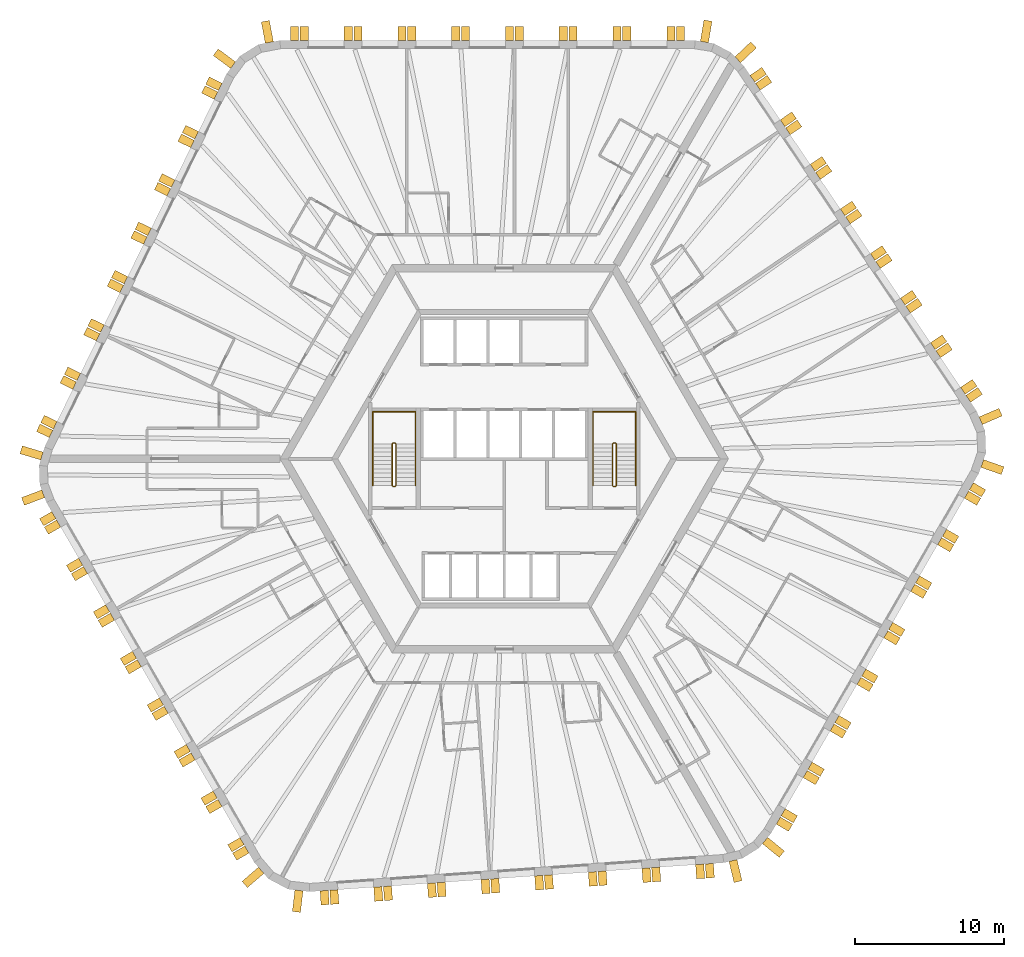
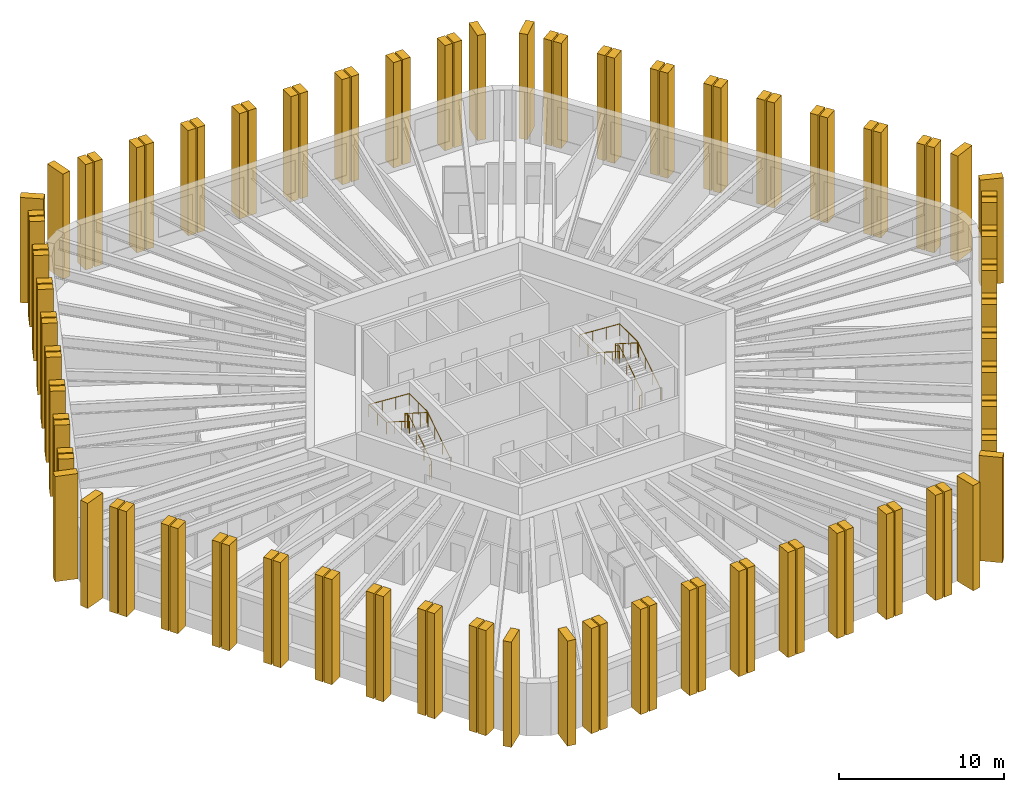
# One storey, part 11 of 11: 108 shading devices, 4 railings.
"""IFC4 building model written with IfcOpenShell, lengths in metres."""

from ifc_helpers import new_model, si_unit, direction, frame, origin, origin_2d, place, context, subcontext, project, spatial, polyline, circle, outline, extrude, material, layer, layer_set, type_object, element, save


model = new_model("IFC4")

# Units and contexts
model_context = context("Model", 3, precision=1e-05, world=origin(), true_north=direction((0.0, 1.0)))
body_context = subcontext(model_context, "Body", "Model", "MODEL_VIEW")
ifc_project = project(units=[si_unit("LENGTHUNIT", "METRE"), si_unit("AREAUNIT", "SQUARE_METRE"), si_unit("VOLUMEUNIT", "CUBIC_METRE"), si_unit("PLANEANGLEUNIT", "RADIAN"), si_unit("MASSUNIT", "GRAM", prefix="KILO")], contexts=[model_context])

# Site, building, storey
site_placement = place(None, origin())
site = spatial("IfcSite", under=ifc_project, at=site_placement, CompositionType="ELEMENT")
building_placement = place(site_placement, origin())
building = spatial("IfcBuilding", under=site, at=building_placement, Name="Tarnside Tower", CompositionType="ELEMENT")
storey_placement = place(building_placement, frame((0.0, 0.0, 207.300048828125)))
storey = spatial("IfcBuildingStorey", under=building, at=storey_placement, Name="L49", CompositionType="ELEMENT", Elevation=207.300048828125)

# Shading devices
ifc_material_1 = material(Name="Concrete C50/60 white precast", Category="concrete")
ifc_layer_1 = layer(ifc_material_1, 0.550048828125)
ifc_layer_set_1 = layer_set([ifc_layer_1], Name="Precast fin 550 x 1450")
shading_device_type_1 = type_object("IfcShadingDeviceType", Name="Precast fin 550 x 1450", PredefinedType="USERDEFINED", material=ifc_layer_set_1)
for number, where, z_axis, x_axis, name in (
    (1, (-15.725341796875, 27.86767578125, -0.150146484375), (0.982720646705, 0.18509492305, 0.0), (-0.18509492305, 0.982720646705, 0.0), "Precast fin"),
    (2, (-18.15380859375, 26.35009765625, -0.150146484375), (0.597158591707, 0.802123192752, 0.0), (-0.802123192752, 0.597158591707, 0.0), "Precast fin"),
    (3, (-30.949951171875, 0.184326171875, -0.150146484375), (0.286803232717, 0.957989512314, 0.0), (-0.957989512314, 0.286803232717, 0.0), "Precast fin"),
    (4, (-30.861572265625, -2.343017578125, -0.150146484375), (-0.352930564719, 0.935649515837, 0.0), (-0.935649515837, -0.352930564719, 0.0), "Precast fin"),
    (5, (-16.271484375, -27.55224609375, -0.150146484375), (-0.651657228826, 0.758513583345, 0.0), (-0.758513583345, -0.651657228826, 0.0), "Precast fin"),
    (6, (-13.7431640625, -28.896728515625, -0.150146484375), (-0.993238357741, 0.116092914131, 0.0), (-0.116092914131, -0.993238357741, 0.0), "Precast fin"),
    (7, (15.315185546875, -26.8955078125, -0.150146484375), (-0.973044870581, -0.230615870737, 0.0), (0.230615870737, -0.973044870581, 0.0), "Precast fin"),
    (8, (17.4599609375, -25.555419921875, -0.150146484375), (-0.633830967394, -0.773471592738, 0.0), (0.773471592738, -0.633830967394, 0.0), "Precast fin"),
    (9, (31.996826171875, -0.315185546875, -0.150146484375), (-0.331063417879, -0.943608506396, 0.0), (0.943608506396, -0.331063417879, 0.0), "Precast fin"),
    (10, (31.896728515625, 2.54638671875, -0.150146484375), (0.396079766034, -0.918216106883, 0.0), (0.918216106883, 0.396079766034, 0.0), "Precast fin"),
    (11, (15.634765625, 26.711181640625, -0.150146484375), (0.686241637865, -0.727373641577, 0.0), (0.727373641577, 0.686241637865, 0.0), "Precast fin"),
    (12, (13.40185546875, 27.8984375, -0.150146484375), (0.986761532114, -0.1621779231, 0.0), (0.1621779231, 0.986761532114, 0.0), "Precast fin"),
):
    element("IfcShadingDevice", number, at=place(storey_placement, frame(where, z_axis=z_axis, x_axis=x_axis)), inside=storey, type_object=shading_device_type_1, Name=name, ObjectType="FIN", PredefinedType="USERDEFINED", context=body_context, shape_type="SweptSolid", body=[
        extrude(outline(polyline([(0.0, 0.0), (1.449951171875, 0.0), (1.449951171875, 7.800048828125), (0.0, 7.800048828125), (0.0, 0.0)])), frame((0.0, 0.0, -0.27490234375)), (0.0, 0.0, 1.0), 0.550048828125),
    ])
ifc_layer_2 = layer(ifc_material_1, 0.550048828125)
ifc_layer_set_2 = layer_set([ifc_layer_2], Name="Precast fin 550 x 950")
shading_device_type_2 = type_object("IfcShadingDeviceType", Name="Precast fin 550 x 950", PredefinedType="USERDEFINED", material=ifc_layer_set_2)
for number, where, z_axis, x_axis, name in (
    (13, (11.80712890625, 28.0, -0.150146484375), (1.0, 0.0, 0.0), (0.0, 1.0, 0.0), "Precast fin"),
    (14, (11.1572265625, 28.0, -0.150146484375), (1.0, 0.0, 0.0), (0.0, 1.0, 0.0), "Precast fin"),
    (15, (8.20703125, 28.0, -0.150146484375), (1.0, 0.0, 0.0), (0.0, 1.0, 0.0), "Precast fin"),
    (16, (7.55712890625, 28.0, -0.150146484375), (1.0, 0.0, 0.0), (0.0, 1.0, 0.0), "Precast fin"),
    (17, (4.607177734375, 28.0, -0.150146484375), (1.0, 0.0, 0.0), (0.0, 1.0, 0.0), "Precast fin"),
    (18, (3.95703125, 28.0, -0.150146484375), (1.0, 0.0, 0.0), (0.0, 1.0, 0.0), "Precast fin"),
    (19, (1.007080078125, 28.0, -0.150146484375), (1.0, 0.0, 0.0), (0.0, 1.0, 0.0), "Precast fin"),
    (20, (0.357177734375, 28.0, -0.150146484375), (1.0, 0.0, 0.0), (0.0, 1.0, 0.0), "Precast fin"),
    (21, (-2.5927734375, 28.0, -0.150146484375), (1.0, 0.0, 0.0), (0.0, 1.0, 0.0), "Precast fin"),
    (22, (-3.242919921875, 28.0, -0.150146484375), (1.0, 0.0, 0.0), (0.0, 1.0, 0.0), "Precast fin"),
    (23, (-6.19287109375, 28.0, -0.150146484375), (1.0, 0.0, 0.0), (0.0, 1.0, 0.0), "Precast fin"),
    (24, (-6.8427734375, 28.0, -0.150146484375), (1.0, 0.0, 0.0), (0.0, 1.0, 0.0), "Precast fin"),
    (25, (-9.79296875, 28.0, -0.150146484375), (1.0, 0.0, 0.0), (0.0, 1.0, 0.0), "Precast fin"),
    (26, (-10.44287109375, 28.0, -0.150146484375), (1.0, 0.0, 0.0), (0.0, 1.0, 0.0), "Precast fin"),
    (27, (-13.392822265625, 28.0, -0.150146484375), (1.0, 0.0, 0.0), (0.0, 1.0, 0.0), "Precast fin"),
    (28, (-14.04296875, 28.0, -0.150146484375), (1.0, 0.0, 0.0), (0.0, 1.0, 0.0), "Precast fin"),
    (29, (-19.01025390625, 24.896240234375, -0.150146484375), (0.438371146789, 0.898794046299, 0.0), (-0.898794046299, 0.438371146789, 0.0), "Precast fin"),
    (30, (-19.295166015625, 24.31201171875, -0.150146484375), (0.438371146789, 0.898794046299, 0.0), (-0.898794046299, 0.438371146789, 0.0), "Precast fin"),
    (31, (-20.58837890625, 21.660400390625, -0.150146484375), (0.438371146789, 0.898794046299, 0.0), (-0.898794046299, 0.438371146789, 0.0), "Precast fin"),
    (32, (-20.873291015625, 21.076171875, -0.150146484375), (0.438371146789, 0.898794046299, 0.0), (-0.898794046299, 0.438371146789, 0.0), "Precast fin"),
    (33, (-22.16650390625, 18.4248046875, -0.150146484375), (0.438371146789, 0.898794046299, 0.0), (-0.898794046299, 0.438371146789, 0.0), "Precast fin"),
    (34, (-22.451416015625, 17.840576171875, -0.150146484375), (0.438371146789, 0.898794046299, 0.0), (-0.898794046299, 0.438371146789, 0.0), "Precast fin"),
    (35, (-23.74462890625, 15.189208984375, -0.150146484375), (0.438371146789, 0.898794046299, 0.0), (-0.898794046299, 0.438371146789, 0.0), "Precast fin"),
    (36, (-24.029541015625, 14.60498046875, -0.150146484375), (0.438371146789, 0.898794046299, 0.0), (-0.898794046299, 0.438371146789, 0.0), "Precast fin"),
    (37, (-25.32275390625, 11.953369140625, -0.150146484375), (0.438371146789, 0.898794046299, 0.0), (-0.898794046299, 0.438371146789, 0.0), "Precast fin"),
    (38, (-25.607666015625, 11.369384765625, -0.150146484375), (0.438371146789, 0.898794046299, 0.0), (-0.898794046299, 0.438371146789, 0.0), "Precast fin"),
    (39, (-26.90087890625, 8.7177734375, -0.150146484375), (0.438371146789, 0.898794046299, 0.0), (-0.898794046299, 0.438371146789, 0.0), "Precast fin"),
    (40, (-27.185791015625, 8.133544921875, -0.150146484375), (0.438371146789, 0.898794046299, 0.0), (-0.898794046299, 0.438371146789, 0.0), "Precast fin"),
    (41, (-28.47900390625, 5.482177734375, -0.150146484375), (0.438371146789, 0.898794046299, 0.0), (-0.898794046299, 0.438371146789, 0.0), "Precast fin"),
    (42, (-28.763916015625, 4.89794921875, -0.150146484375), (0.438371146789, 0.898794046299, 0.0), (-0.898794046299, 0.438371146789, 0.0), "Precast fin"),
    (43, (-30.05712890625, 2.24658203125, -0.150146484375), (0.438371146789, 0.898794046299, 0.0), (-0.898794046299, 0.438371146789, 0.0), "Precast fin"),
    (44, (-30.342041015625, 1.662353515625, -0.150146484375), (0.438371146789, 0.898794046299, 0.0), (-0.898794046299, 0.438371146789, 0.0), "Precast fin"),
    (45, (-30.15234375, -3.774658203125, -0.150146484375), (-0.5, 0.866025403784, 0.0), (-0.866025403784, -0.5, 0.0), "Precast fin"),
    (46, (-29.827392578125, -4.337646484375, -0.150146484375), (-0.5, 0.866025403784, 0.0), (-0.866025403784, -0.5, 0.0), "Precast fin"),
    (47, (-28.352294921875, -6.892333984375, -0.150146484375), (-0.5, 0.866025403784, 0.0), (-0.866025403784, -0.5, 0.0), "Precast fin"),
    (48, (-28.02734375, -7.455322265625, -0.150146484375), (-0.5, 0.866025403784, 0.0), (-0.866025403784, -0.5, 0.0), "Precast fin"),
    (49, (-26.55224609375, -10.010009765625, -0.150146484375), (-0.5, 0.866025403784, 0.0), (-0.866025403784, -0.5, 0.0), "Precast fin"),
    (50, (-26.227294921875, -10.572998046875, -0.150146484375), (-0.5, 0.866025403784, 0.0), (-0.866025403784, -0.5, 0.0), "Precast fin"),
    (51, (-24.752197265625, -13.127685546875, -0.150146484375), (-0.5, 0.866025403784, 0.0), (-0.866025403784, -0.5, 0.0), "Precast fin"),
    (52, (-24.42724609375, -13.690673828125, -0.150146484375), (-0.5, 0.866025403784, 0.0), (-0.866025403784, -0.5, 0.0), "Precast fin"),
    (53, (-22.952392578125, -16.24560546875, -0.150146484375), (-0.5, 0.866025403784, 0.0), (-0.866025403784, -0.5, 0.0), "Precast fin"),
    (54, (-22.627197265625, -16.808349609375, -0.150146484375), (-0.5, 0.866025403784, 0.0), (-0.866025403784, -0.5, 0.0), "Precast fin"),
    (55, (-21.15234375, -19.36328125, -0.150146484375), (-0.5, 0.866025403784, 0.0), (-0.866025403784, -0.5, 0.0), "Precast fin"),
    (56, (-20.827392578125, -19.926025390625, -0.150146484375), (-0.5, 0.866025403784, 0.0), (-0.866025403784, -0.5, 0.0), "Precast fin"),
    (57, (-19.352294921875, -22.48095703125, -0.150146484375), (-0.5, 0.866025403784, 0.0), (-0.866025403784, -0.5, 0.0), "Precast fin"),
    (58, (-19.02734375, -23.043701171875, -0.150146484375), (-0.5, 0.866025403784, 0.0), (-0.866025403784, -0.5, 0.0), "Precast fin"),
    (59, (-17.55224609375, -25.5986328125, -0.150146484375), (-0.5, 0.866025403784, 0.0), (-0.866025403784, -0.5, 0.0), "Precast fin"),
    (60, (-17.227294921875, -26.161376953125, -0.150146484375), (-0.5, 0.866025403784, 0.0), (-0.866025403784, -0.5, 0.0), "Precast fin"),
    (61, (-12.0556640625, -28.911376953125, -0.150146484375), (-0.99756405026, -0.069756473744, 0.0), (0.069756473744, -0.99756405026, 0.0), "Precast fin"),
    (62, (-11.4072265625, -28.865966796875, -0.150146484375), (-0.99756405026, -0.069756473744, 0.0), (0.069756473744, -0.99756405026, 0.0), "Precast fin"),
    (63, (-8.46435546875, -28.66015625, -0.150146484375), (-0.99756405026, -0.069756473744, 0.0), (0.069756473744, -0.99756405026, 0.0), "Precast fin"),
    (64, (-7.81591796875, -28.614990234375, -0.150146484375), (-0.99756405026, -0.069756473744, 0.0), (0.069756473744, -0.99756405026, 0.0), "Precast fin"),
    (65, (-4.873046875, -28.4091796875, -0.150146484375), (-0.99756405026, -0.069756473744, 0.0), (0.069756473744, -0.99756405026, 0.0), "Precast fin"),
    (66, (-4.224609375, -28.36376953125, -0.150146484375), (-0.99756405026, -0.069756473744, 0.0), (0.069756473744, -0.99756405026, 0.0), "Precast fin"),
    (67, (-1.281982421875, -28.157958984375, -0.150146484375), (-0.99756405026, -0.069756473744, 0.0), (0.069756473744, -0.99756405026, 0.0), "Precast fin"),
    (68, (-0.633544921875, -28.112548828125, -0.150146484375), (-0.99756405026, -0.069756473744, 0.0), (0.069756473744, -0.99756405026, 0.0), "Precast fin"),
    (69, (2.309326171875, -27.906982421875, -0.150146484375), (-0.99756405026, -0.069756473744, 0.0), (0.069756473744, -0.99756405026, 0.0), "Precast fin"),
    (70, (2.957763671875, -27.861572265625, -0.150146484375), (-0.99756405026, -0.069756473744, 0.0), (0.069756473744, -0.99756405026, 0.0), "Precast fin"),
    (71, (5.900634765625, -27.65576171875, -0.150146484375), (-0.99756405026, -0.069756473744, 0.0), (0.069756473744, -0.99756405026, 0.0), "Precast fin"),
    (72, (6.549072265625, -27.6103515625, -0.150146484375), (-0.99756405026, -0.069756473744, 0.0), (0.069756473744, -0.99756405026, 0.0), "Precast fin"),
    (73, (9.49169921875, -27.404541015625, -0.150146484375), (-0.99756405026, -0.069756473744, 0.0), (0.069756473744, -0.99756405026, 0.0), "Precast fin"),
    (74, (10.14013671875, -27.359375, -0.150146484375), (-0.99756405026, -0.069756473744, 0.0), (0.069756473744, -0.99756405026, 0.0), "Precast fin"),
    (75, (13.0830078125, -27.153564453125, -0.150146484375), (-0.99756405026, -0.069756473744, 0.0), (0.069756473744, -0.99756405026, 0.0), "Precast fin"),
    (76, (13.7314453125, -27.108154296875, -0.150146484375), (-0.99756405026, -0.069756473744, 0.0), (0.069756473744, -0.99756405026, 0.0), "Precast fin"),
    (77, (18.34521484375, -24.225341796875, -0.150146484375), (-0.5, -0.866025403784, 0.0), (0.866025403784, -0.5, 0.0), "Precast fin"),
    (78, (18.670166015625, -23.662353515625, -0.150146484375), (-0.5, -0.866025403784, 0.0), (0.866025403784, -0.5, 0.0), "Precast fin"),
    (79, (20.145263671875, -21.107666015625, -0.150146484375), (-0.5, -0.866025403784, 0.0), (0.866025403784, -0.5, 0.0), "Precast fin"),
    (80, (20.47021484375, -20.544677734375, -0.150146484375), (-0.5, -0.866025403784, 0.0), (0.866025403784, -0.5, 0.0), "Precast fin"),
    (81, (21.945068359375, -17.989990234375, -0.150146484375), (-0.5, -0.866025403784, 0.0), (0.866025403784, -0.5, 0.0), "Precast fin"),
    (82, (22.270263671875, -17.427001953125, -0.150146484375), (-0.5, -0.866025403784, 0.0), (0.866025403784, -0.5, 0.0), "Precast fin"),
    (83, (23.7451171875, -14.872314453125, -0.150146484375), (-0.5, -0.866025403784, 0.0), (0.866025403784, -0.5, 0.0), "Precast fin"),
    (84, (24.070068359375, -14.309326171875, -0.150146484375), (-0.5, -0.866025403784, 0.0), (0.866025403784, -0.5, 0.0), "Precast fin"),
    (85, (25.545166015625, -11.75439453125, -0.150146484375), (-0.5, -0.866025403784, 0.0), (0.866025403784, -0.5, 0.0), "Precast fin"),
    (86, (25.8701171875, -11.191650390625, -0.150146484375), (-0.5, -0.866025403784, 0.0), (0.866025403784, -0.5, 0.0), "Precast fin"),
    (87, (27.34521484375, -8.63671875, -0.150146484375), (-0.5, -0.866025403784, 0.0), (0.866025403784, -0.5, 0.0), "Precast fin"),
    (88, (27.670166015625, -8.073974609375, -0.150146484375), (-0.5, -0.866025403784, 0.0), (0.866025403784, -0.5, 0.0), "Precast fin"),
    (89, (29.145263671875, -5.51904296875, -0.150146484375), (-0.5, -0.866025403784, 0.0), (0.866025403784, -0.5, 0.0), "Precast fin"),
    (90, (29.47021484375, -4.956298828125, -0.150146484375), (-0.5, -0.866025403784, 0.0), (0.866025403784, -0.5, 0.0), "Precast fin"),
    (91, (30.945068359375, -2.4013671875, -0.150146484375), (-0.5, -0.866025403784, 0.0), (0.866025403784, -0.5, 0.0), "Precast fin"),
    (92, (31.270263671875, -1.838623046875, -0.150146484375), (-0.5, -0.866025403784, 0.0), (0.866025403784, -0.5, 0.0), "Precast fin"),
    (93, (31.065673828125, 4.01513671875, -0.150146484375), (0.559192903471, -0.829037572555, 0.0), (0.829037572555, 0.559192903471, 0.0), "Precast fin"),
    (94, (30.702392578125, 4.55419921875, -0.150146484375), (0.559192903471, -0.829037572555, 0.0), (0.829037572555, 0.559192903471, 0.0), "Precast fin"),
    (95, (29.052734375, 6.999755859375, -0.150146484375), (0.559192903471, -0.829037572555, 0.0), (0.829037572555, 0.559192903471, 0.0), "Precast fin"),
    (96, (28.689208984375, 7.53857421875, -0.150146484375), (0.559192903471, -0.829037572555, 0.0), (0.829037572555, 0.559192903471, 0.0), "Precast fin"),
    (97, (27.03955078125, 9.984375, -0.150146484375), (0.559192903471, -0.829037572555, 0.0), (0.829037572555, 0.559192903471, 0.0), "Precast fin"),
    (98, (26.676025390625, 10.523193359375, -0.150146484375), (0.559192903471, -0.829037572555, 0.0), (0.829037572555, 0.559192903471, 0.0), "Precast fin"),
    (99, (25.026611328125, 12.96875, -0.150146484375), (0.559192903471, -0.829037572555, 0.0), (0.829037572555, 0.559192903471, 0.0), "Precast fin"),
    (100, (24.6630859375, 13.5078125, -0.150146484375), (0.559192903471, -0.829037572555, 0.0), (0.829037572555, 0.559192903471, 0.0), "Precast fin"),
    (101, (23.013427734375, 15.953369140625, -0.150146484375), (0.559192903471, -0.829037572555, 0.0), (0.829037572555, 0.559192903471, 0.0), "Precast fin"),
    (102, (22.64990234375, 16.4921875, -0.150146484375), (0.559192903471, -0.829037572555, 0.0), (0.829037572555, 0.559192903471, 0.0), "Precast fin"),
    (103, (21.000244140625, 18.93798828125, -0.150146484375), (0.559192903471, -0.829037572555, 0.0), (0.829037572555, 0.559192903471, 0.0), "Precast fin"),
    (104, (20.63671875, 19.476806640625, -0.150146484375), (0.559192903471, -0.829037572555, 0.0), (0.829037572555, 0.559192903471, 0.0), "Precast fin"),
    (105, (18.9873046875, 21.92236328125, -0.150146484375), (0.559192903471, -0.829037572555, 0.0), (0.829037572555, 0.559192903471, 0.0), "Precast fin"),
    (106, (18.623779296875, 22.46142578125, -0.150146484375), (0.559192903471, -0.829037572555, 0.0), (0.829037572555, 0.559192903471, 0.0), "Precast fin"),
    (107, (16.97412109375, 24.906982421875, -0.150146484375), (0.559192903471, -0.829037572555, 0.0), (0.829037572555, 0.559192903471, 0.0), "Precast fin"),
    (108, (16.610595703125, 25.44580078125, -0.150146484375), (0.559192903471, -0.829037572555, 0.0), (0.829037572555, 0.559192903471, 0.0), "Precast fin"),
):
    element("IfcShadingDevice", number, at=place(storey_placement, frame(where, z_axis=z_axis, x_axis=x_axis)), inside=storey, type_object=shading_device_type_2, Name=name, ObjectType="FIN", PredefinedType="USERDEFINED", context=body_context, shape_type="SweptSolid", body=[
        extrude(outline(polyline([(0.0, 0.0), (0.949951171875, 0.0), (0.949951171875, 7.800048828125), (0.0, 7.800048828125), (0.0, 0.0)])), frame((0.0, 0.0, -0.27490234375)), (0.0, 0.0, 1.0), 0.550048828125),
    ])

# Railings
ifc_material_2 = material(Name="Stainless steel", Category="steel")
railing_type_1 = type_object("IfcRailingType", Name="Stair guard 1100", PredefinedType="GUARDRAIL", material=ifc_material_2)
railing_1_placement = place(storey_placement, frame((7.300048828125, -1.85009765625, 0.0)))
element("IfcRailing", 109, at=railing_1_placement, inside=storey, type_object=railing_type_1, Name="L49 ST1 stair guard 1", PredefinedType="GUARDRAIL", context=body_context, shape_type="SweptSolid", body=[
    extrude(circle(Radius=0.02392578125, at=origin_2d()), frame((0.0, 0.0, 1.076171875), z_axis=(1.0, 0.0, 0.0), x_axis=(0.0, 1.0, 0.0)), (0.0, 0.0, 1.0), 0.14990234375),
    extrude(circle(Radius=0.02392578125, at=origin_2d()), frame((0.14990234375, 0.0, 1.076171875), z_axis=(0.262233686654, 0.262233686654, 0.928691007369), x_axis=(-0.707106781187, 0.707106781187, 0.0)), (0.0, 0.0, 1.0), 0.19091796875),
    extrude(circle(Radius=0.02392578125, at=origin_2d()), frame((0.199951171875, 0.050048828125, 1.25341796875), z_axis=(0.0, 0.844908973607, 0.534910110503), x_axis=(-1.0, 0.0, 0.0)), (0.0, 0.0, 1.0), 3.31396484375),
    extrude(circle(Radius=0.02392578125, at=origin_2d()), frame((0.199951171875, 2.85009765625, 3.02587890625), z_axis=(-0.707106781187, 0.707106781187, 0.0), x_axis=(-0.707106781187, -0.707106781187, 0.0)), (0.0, 0.0, 1.0), 0.07080078125),
    extrude(circle(Radius=0.02392578125, at=origin_2d()), frame((0.14990234375, 2.900146484375, 3.02587890625), z_axis=(-1.0, 0.0, 0.0), x_axis=(0.0, -1.0, 0.0)), (0.0, 0.0, 1.0), 0.14990234375),
    extrude(circle(Radius=0.02392578125, at=origin_2d()), frame((0.0, 2.900146484375, 3.02587890625), z_axis=(-0.262233686654, -0.262233686654, 0.928691007369), x_axis=(0.707106781187, -0.707106781187, 0.0)), (0.0, 0.0, 1.0), 0.19091796875),
    extrude(circle(Radius=0.02392578125, at=origin_2d()), frame((-0.050048828125, 2.85009765625, 3.203125), z_axis=(0.0, -0.844908973607, 0.534910110503), x_axis=(1.0, 0.0, 0.0)), (0.0, 0.0, 1.0), 3.31396484375),
    extrude(circle(Radius=0.02099609375, at=origin_2d()), origin(), (0.0, 0.0, 1.0), 1.052001953125),
    extrude(circle(Radius=0.02099609375, at=origin_2d()), frame((0.14990234375, 0.0, 0.0)), (0.0, 0.0, 1.0), 1.052001953125),
    extrude(circle(Radius=0.02099609375, at=origin_2d()), frame((0.199951171875, 0.050048828125, 0.17724609375)), (0.0, 0.0, 1.0), 1.052001953125),
    extrude(circle(Radius=0.02099609375, at=origin_2d()), frame((0.199951171875, 0.9833984375, 0.76806640625)), (0.0, 0.0, 1.0), 1.052001953125),
    extrude(circle(Radius=0.02099609375, at=origin_2d()), frame((0.199951171875, 1.916748046875, 1.359130859375)), (0.0, 0.0, 1.0), 1.052001953125),
    extrude(circle(Radius=0.02099609375, at=origin_2d()), frame((0.199951171875, 2.85009765625, 1.949951171875)), (0.0, 0.0, 1.0), 1.052001953125),
    extrude(circle(Radius=0.02099609375, at=origin_2d()), frame((0.14990234375, 2.900146484375, 1.949951171875)), (0.0, 0.0, 1.0), 1.052001953125),
    extrude(circle(Radius=0.02099609375, at=origin_2d()), frame((0.0, 2.900146484375, 1.949951171875)), (0.0, 0.0, 1.0), 1.052001953125),
    extrude(circle(Radius=0.02099609375, at=origin_2d()), frame((-0.050048828125, 2.85009765625, 2.127197265625)), (0.0, 0.0, 1.0), 1.052001953125),
    extrude(circle(Radius=0.02099609375, at=origin_2d()), frame((-0.050048828125, 1.916748046875, 2.718017578125)), (0.0, 0.0, 1.0), 1.052001953125),
    extrude(circle(Radius=0.02099609375, at=origin_2d()), frame((-0.050048828125, 0.9833984375, 3.30908203125)), (0.0, 0.0, 1.0), 1.052001953125),
    extrude(circle(Radius=0.02099609375, at=origin_2d()), frame((-0.050048828125, 0.050048828125, 3.89990234375)), (0.0, 0.0, 1.0), 1.052001953125),
])
railing_2_placement = place(storey_placement, frame((-7.449951171875, -1.85009765625, 0.0)))
element("IfcRailing", 110, at=railing_2_placement, inside=storey, type_object=railing_type_1, Name="L49 ST2 stair guard 1", PredefinedType="GUARDRAIL", context=body_context, shape_type="SweptSolid", body=[
    extrude(circle(Radius=0.02392578125, at=origin_2d()), frame((0.0, 0.0, 1.076171875), z_axis=(1.0, 0.0, 0.0), x_axis=(0.0, 1.0, 0.0)), (0.0, 0.0, 1.0), 0.14990234375),
    extrude(circle(Radius=0.02392578125, at=origin_2d()), frame((0.14990234375, 0.0, 1.076171875), z_axis=(0.262233686654, 0.262233686654, 0.928691007369), x_axis=(-0.707106781187, 0.707106781187, 0.0)), (0.0, 0.0, 1.0), 0.19091796875),
    extrude(circle(Radius=0.02392578125, at=origin_2d()), frame((0.199951171875, 0.050048828125, 1.25341796875), z_axis=(0.0, 0.844908973607, 0.534910110503), x_axis=(-1.0, 0.0, 0.0)), (0.0, 0.0, 1.0), 3.31396484375),
    extrude(circle(Radius=0.02392578125, at=origin_2d()), frame((0.199951171875, 2.85009765625, 3.02587890625), z_axis=(-0.707106781187, 0.707106781187, 0.0), x_axis=(-0.707106781187, -0.707106781187, 0.0)), (0.0, 0.0, 1.0), 0.07080078125),
    extrude(circle(Radius=0.02392578125, at=origin_2d()), frame((0.14990234375, 2.900146484375, 3.02587890625), z_axis=(-1.0, 0.0, 0.0), x_axis=(0.0, -1.0, 0.0)), (0.0, 0.0, 1.0), 0.14990234375),
    extrude(circle(Radius=0.02392578125, at=origin_2d()), frame((0.0, 2.900146484375, 3.02587890625), z_axis=(-0.262233686654, -0.262233686654, 0.928691007369), x_axis=(0.707106781187, -0.707106781187, 0.0)), (0.0, 0.0, 1.0), 0.19091796875),
    extrude(circle(Radius=0.02392578125, at=origin_2d()), frame((-0.050048828125, 2.85009765625, 3.203125), z_axis=(0.0, -0.844908973607, 0.534910110503), x_axis=(1.0, 0.0, 0.0)), (0.0, 0.0, 1.0), 3.31396484375),
    extrude(circle(Radius=0.02099609375, at=origin_2d()), origin(), (0.0, 0.0, 1.0), 1.052001953125),
    extrude(circle(Radius=0.02099609375, at=origin_2d()), frame((0.14990234375, 0.0, 0.0)), (0.0, 0.0, 1.0), 1.052001953125),
    extrude(circle(Radius=0.02099609375, at=origin_2d()), frame((0.199951171875, 0.050048828125, 0.17724609375)), (0.0, 0.0, 1.0), 1.052001953125),
    extrude(circle(Radius=0.02099609375, at=origin_2d()), frame((0.199951171875, 0.9833984375, 0.76806640625)), (0.0, 0.0, 1.0), 1.052001953125),
    extrude(circle(Radius=0.02099609375, at=origin_2d()), frame((0.199951171875, 1.916748046875, 1.359130859375)), (0.0, 0.0, 1.0), 1.052001953125),
    extrude(circle(Radius=0.02099609375, at=origin_2d()), frame((0.199951171875, 2.85009765625, 1.949951171875)), (0.0, 0.0, 1.0), 1.052001953125),
    extrude(circle(Radius=0.02099609375, at=origin_2d()), frame((0.14990234375, 2.900146484375, 1.949951171875)), (0.0, 0.0, 1.0), 1.052001953125),
    extrude(circle(Radius=0.02099609375, at=origin_2d()), frame((0.0, 2.900146484375, 1.949951171875)), (0.0, 0.0, 1.0), 1.052001953125),
    extrude(circle(Radius=0.02099609375, at=origin_2d()), frame((-0.050048828125, 2.85009765625, 2.127197265625)), (0.0, 0.0, 1.0), 1.052001953125),
    extrude(circle(Radius=0.02099609375, at=origin_2d()), frame((-0.050048828125, 1.916748046875, 2.718017578125)), (0.0, 0.0, 1.0), 1.052001953125),
    extrude(circle(Radius=0.02099609375, at=origin_2d()), frame((-0.050048828125, 0.9833984375, 3.30908203125)), (0.0, 0.0, 1.0), 1.052001953125),
    extrude(circle(Radius=0.02099609375, at=origin_2d()), frame((-0.050048828125, 0.050048828125, 3.89990234375)), (0.0, 0.0, 1.0), 1.052001953125),
])
railing_type_2 = type_object("IfcRailingType", Name="Stair handrail 900", PredefinedType="HANDRAIL", material=ifc_material_2)
railing_3_placement = place(storey_placement, frame((8.800048828125, -1.800048828125, 0.17724609375)))
element("IfcRailing", 111, at=railing_3_placement, inside=storey, type_object=railing_type_2, Name="L49 ST1 stair handrail 1", PredefinedType="HANDRAIL", context=body_context, shape_type="SweptSolid", body=[
    extrude(circle(Radius=0.02392578125, at=origin_2d()), frame((0.0, 0.0, 0.8857421875), z_axis=(0.0, 0.844908973607, 0.534910110503), x_axis=(-1.0, 0.0, 0.0)), (0.0, 0.0, 1.0), 3.31396484375),
    extrude(circle(Radius=0.02392578125, at=origin_2d()), frame((0.0, 2.800048828125, 2.65869140625), z_axis=(0.0, 1.0, 0.0), x_axis=(-1.0, 0.0, 0.0)), (0.0, 0.0, 1.0), 2.14990234375),
    extrude(circle(Radius=0.02392578125, at=origin_2d()), frame((0.0, 4.949951171875, 2.65869140625), z_axis=(-0.998071825391, 0.0, 0.06206956872), x_axis=(0.0, -1.0, 0.0)), (0.0, 0.0, 1.0), 2.855712890625),
    extrude(circle(Radius=0.02392578125, at=origin_2d()), frame((-2.85009765625, 4.949951171875, 2.8359375), z_axis=(0.0, -1.0, 0.0), x_axis=(1.0, 0.0, 0.0)), (0.0, 0.0, 1.0), 2.14990234375),
    extrude(circle(Radius=0.02392578125, at=origin_2d()), frame((-2.85009765625, 2.800048828125, 2.8359375), z_axis=(0.0, -0.844908973607, 0.534910110503), x_axis=(1.0, 0.0, 0.0)), (0.0, 0.0, 1.0), 3.31396484375),
    extrude(circle(Radius=0.02099609375, at=origin_2d()), origin(), (0.0, 0.0, 1.0), 0.86181640625),
    extrude(circle(Radius=0.02099609375, at=origin_2d()), frame((0.0, 0.933349609375, 0.5908203125)), (0.0, 0.0, 1.0), 0.86181640625),
    extrude(circle(Radius=0.02099609375, at=origin_2d()), frame((0.0, 1.86669921875, 1.181884765625)), (0.0, 0.0, 1.0), 0.86181640625),
    extrude(circle(Radius=0.02099609375, at=origin_2d()), frame((0.0, 2.800048828125, 1.772705078125)), (0.0, 0.0, 1.0), 0.86181640625),
    extrude(circle(Radius=0.02099609375, at=origin_2d()), frame((0.0, 3.875, 1.772705078125)), (0.0, 0.0, 1.0), 0.86181640625),
    extrude(circle(Radius=0.02099609375, at=origin_2d()), frame((0.0, 4.949951171875, 1.772705078125)), (0.0, 0.0, 1.0), 0.86181640625),
    extrude(circle(Radius=0.02099609375, at=origin_2d()), frame((-0.949951171875, 4.949951171875, 1.831787109375)), (0.0, 0.0, 1.0), 0.86181640625),
    extrude(circle(Radius=0.02099609375, at=origin_2d()), frame((-1.900146484375, 4.949951171875, 1.890869140625)), (0.0, 0.0, 1.0), 0.86181640625),
    extrude(circle(Radius=0.02099609375, at=origin_2d()), frame((-2.85009765625, 4.949951171875, 1.949951171875)), (0.0, 0.0, 1.0), 0.86181640625),
    extrude(circle(Radius=0.02099609375, at=origin_2d()), frame((-2.85009765625, 3.875, 1.949951171875)), (0.0, 0.0, 1.0), 0.86181640625),
    extrude(circle(Radius=0.02099609375, at=origin_2d()), frame((-2.85009765625, 2.800048828125, 1.949951171875)), (0.0, 0.0, 1.0), 0.86181640625),
    extrude(circle(Radius=0.02099609375, at=origin_2d()), frame((-2.85009765625, 1.86669921875, 2.540771484375)), (0.0, 0.0, 1.0), 0.86181640625),
    extrude(circle(Radius=0.02099609375, at=origin_2d()), frame((-2.85009765625, 0.933349609375, 3.1318359375)), (0.0, 0.0, 1.0), 0.86181640625),
    extrude(circle(Radius=0.02099609375, at=origin_2d()), frame((-2.85009765625, 0.0, 3.72265625)), (0.0, 0.0, 1.0), 0.86181640625),
])
railing_4_placement = place(storey_placement, frame((-5.949951171875, -1.800048828125, 0.17724609375)))
element("IfcRailing", 112, at=railing_4_placement, inside=storey, type_object=railing_type_2, Name="L49 ST2 stair handrail 1", PredefinedType="HANDRAIL", context=body_context, shape_type="SweptSolid", body=[
    extrude(circle(Radius=0.02392578125, at=origin_2d()), frame((0.0, 0.0, 0.8857421875), z_axis=(0.0, 0.844908973607, 0.534910110503), x_axis=(-1.0, 0.0, 0.0)), (0.0, 0.0, 1.0), 3.31396484375),
    extrude(circle(Radius=0.02392578125, at=origin_2d()), frame((0.0, 2.800048828125, 2.65869140625), z_axis=(0.0, 1.0, 0.0), x_axis=(-1.0, 0.0, 0.0)), (0.0, 0.0, 1.0), 2.14990234375),
    extrude(circle(Radius=0.02392578125, at=origin_2d()), frame((0.0, 4.949951171875, 2.65869140625), z_axis=(-0.998071825391, 0.0, 0.06206956872), x_axis=(0.0, -1.0, 0.0)), (0.0, 0.0, 1.0), 2.855712890625),
    extrude(circle(Radius=0.02392578125, at=origin_2d()), frame((-2.85009765625, 4.949951171875, 2.8359375), z_axis=(0.0, -1.0, 0.0), x_axis=(1.0, 0.0, 0.0)), (0.0, 0.0, 1.0), 2.14990234375),
    extrude(circle(Radius=0.02392578125, at=origin_2d()), frame((-2.85009765625, 2.800048828125, 2.8359375), z_axis=(0.0, -0.844908973607, 0.534910110503), x_axis=(1.0, 0.0, 0.0)), (0.0, 0.0, 1.0), 3.31396484375),
    extrude(circle(Radius=0.02099609375, at=origin_2d()), origin(), (0.0, 0.0, 1.0), 0.86181640625),
    extrude(circle(Radius=0.02099609375, at=origin_2d()), frame((0.0, 0.933349609375, 0.5908203125)), (0.0, 0.0, 1.0), 0.86181640625),
    extrude(circle(Radius=0.02099609375, at=origin_2d()), frame((0.0, 1.86669921875, 1.181884765625)), (0.0, 0.0, 1.0), 0.86181640625),
    extrude(circle(Radius=0.02099609375, at=origin_2d()), frame((0.0, 2.800048828125, 1.772705078125)), (0.0, 0.0, 1.0), 0.86181640625),
    extrude(circle(Radius=0.02099609375, at=origin_2d()), frame((0.0, 3.875, 1.772705078125)), (0.0, 0.0, 1.0), 0.86181640625),
    extrude(circle(Radius=0.02099609375, at=origin_2d()), frame((0.0, 4.949951171875, 1.772705078125)), (0.0, 0.0, 1.0), 0.86181640625),
    extrude(circle(Radius=0.02099609375, at=origin_2d()), frame((-0.949951171875, 4.949951171875, 1.831787109375)), (0.0, 0.0, 1.0), 0.86181640625),
    extrude(circle(Radius=0.02099609375, at=origin_2d()), frame((-1.900146484375, 4.949951171875, 1.890869140625)), (0.0, 0.0, 1.0), 0.86181640625),
    extrude(circle(Radius=0.02099609375, at=origin_2d()), frame((-2.85009765625, 4.949951171875, 1.949951171875)), (0.0, 0.0, 1.0), 0.86181640625),
    extrude(circle(Radius=0.02099609375, at=origin_2d()), frame((-2.85009765625, 3.875, 1.949951171875)), (0.0, 0.0, 1.0), 0.86181640625),
    extrude(circle(Radius=0.02099609375, at=origin_2d()), frame((-2.85009765625, 2.800048828125, 1.949951171875)), (0.0, 0.0, 1.0), 0.86181640625),
    extrude(circle(Radius=0.02099609375, at=origin_2d()), frame((-2.85009765625, 1.86669921875, 2.540771484375)), (0.0, 0.0, 1.0), 0.86181640625),
    extrude(circle(Radius=0.02099609375, at=origin_2d()), frame((-2.85009765625, 0.933349609375, 3.1318359375)), (0.0, 0.0, 1.0), 0.86181640625),
    extrude(circle(Radius=0.02099609375, at=origin_2d()), frame((-2.85009765625, 0.0, 3.72265625)), (0.0, 0.0, 1.0), 0.86181640625),
])

save(model, "model.ifc")
